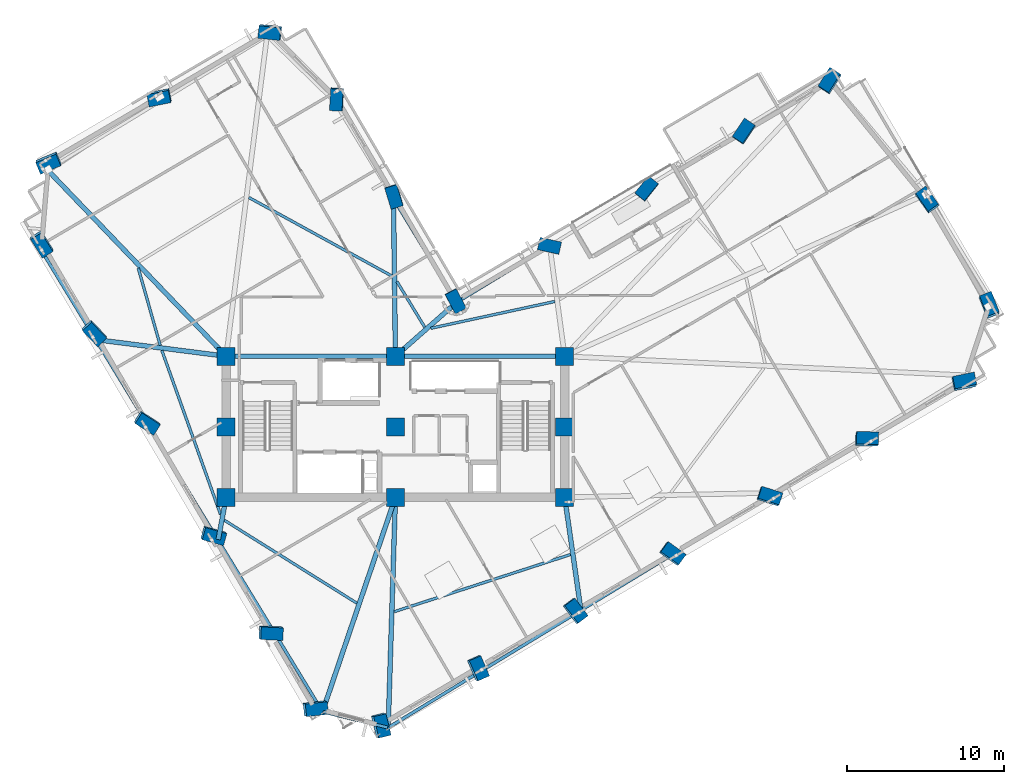
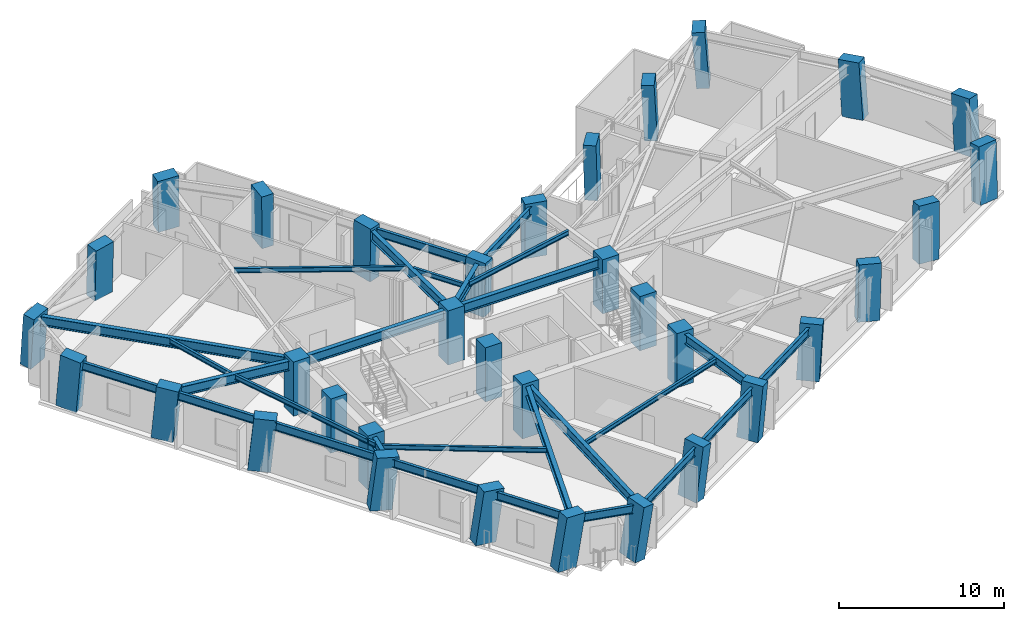
# One storey, part 1 of 12: 34 columns, 28 beams.
"""IFC4 building model written with IfcOpenShell, lengths in metres."""

import ifcopenshell
import ifcopenshell.guid

model = None  # the IFC model being written
_history = None  # IfcOwnerHistory: only IFC2X3 demands one
_inside = {}  # id of a spatial element -> (the spatial element, [elements in it])
_under = {}  # id of a project, library or spatial element -> (it, [spatial elements below it])
_declared = {}  # id of a project -> (the project, [libraries it declares])
_typed = {}  # id of a type object -> (the type object, [elements of that type])
_made_of = {}  # id of a material, layer set ... -> (it, [elements and type objects made of it])


def new_model(schema):
    """Start an empty IFC model of exactly this schema.

    Asked for "IFC4X3", IfcOpenShell would pick the latest addendum, in which some entities
    have other attributes; the version numbers below select the first issue.
    IFC2X3 requires an IfcOwnerHistory on every rooted entity: one is made here for all.
    """
    global model, _history
    if schema == "IFC4X3":
        model = ifcopenshell.file(schema_version=(4, 3, 0, 0))
    else:
        model = ifcopenshell.file(schema=schema)
    _inside.clear()
    _under.clear()
    _declared.clear()
    _typed.clear()
    _made_of.clear()
    _history = None
    if model.schema == "IFC2X3":
        org = make("IfcOrganization", Name="unknown")
        user = make(
            "IfcPersonAndOrganization",
            ThePerson=make("IfcPerson", FamilyName="unknown"),
            TheOrganization=org,
        )
        app = make(
            "IfcApplication",
            ApplicationDeveloper=org,
            Version="unknown",
            ApplicationFullName="unknown",
            ApplicationIdentifier="unknown",
        )
        _history = make(
            "IfcOwnerHistory",
            OwningUser=user,
            OwningApplication=app,
            ChangeAction="ADDED",
            CreationDate=0,
        )
    return model


def make(cls, **values):
    """One entity of the class cls with the attributes given. An attribute that is None is left unset."""
    return model.create_entity(
        cls, **{name: value for name, value in values.items() if value is not None}
    )


def rooted(cls, **values):
    """An entity with a GlobalId (a new one), such as an element, a storey or a relation."""
    return make(cls, GlobalId=ifcopenshell.guid.new(), OwnerHistory=_history, **values)


def si_unit(unit_type, name, prefix=None):
    """IfcSIUnit, for example si_unit("LENGTHUNIT", "METRE", prefix="MILLI")."""
    return make("IfcSIUnit", UnitType=unit_type, Prefix=prefix, Name=name)


def assignment(units):
    """IfcUnitAssignment: the units of a project."""
    return None if units is None else make("IfcUnitAssignment", Units=units)


def point(xyz):
    """IfcCartesianPoint."""
    return None if xyz is None else make("IfcCartesianPoint", Coordinates=xyz)


def direction(xyz):
    """IfcDirection."""
    return None if xyz is None else make("IfcDirection", DirectionRatios=xyz)


def frame(location, z_axis=None, x_axis=None):
    """IfcAxis2Placement3D, a coordinate frame: its origin and axes. An axis left out is left unset."""
    return make(
        "IfcAxis2Placement3D",
        Location=point(location),
        Axis=direction(z_axis),
        RefDirection=direction(x_axis),
    )


def frame_2d(location, x_axis=None):
    """IfcAxis2Placement2D, a coordinate frame in the plane: its origin and x axis."""
    return make(
        "IfcAxis2Placement2D", Location=point(location), RefDirection=direction(x_axis)
    )


def origin():
    """The frame at (0, 0, 0) with its axes left unset."""
    return frame((0.0, 0.0, 0.0))


def origin_2d():
    """The frame at (0, 0) in the plane with its x axis left unset."""
    return frame_2d((0.0, 0.0))


def place(relative_to, where):
    """IfcLocalPlacement: puts the frame where relative to a parent placement (None: the world)."""
    return make(
        "IfcLocalPlacement", PlacementRelTo=relative_to, RelativePlacement=where
    )


def context(
    kind, dimensions, precision=None, world=None, true_north=None, identifier=None
):
    """IfcGeometricRepresentationContext, for example the 3D "Model" context."""
    return make(
        "IfcGeometricRepresentationContext",
        ContextIdentifier=identifier,
        ContextType=kind,
        CoordinateSpaceDimension=dimensions,
        Precision=precision,
        WorldCoordinateSystem=world,
        TrueNorth=true_north,
    )


def subcontext(parent, identifier, kind, view, scale=None):
    """IfcGeometricRepresentationSubContext, for example "Body" below "Model"."""
    return make(
        "IfcGeometricRepresentationSubContext",
        ContextIdentifier=identifier,
        ContextType=kind,
        ParentContext=parent,
        TargetScale=scale,
        TargetView=view,
    )


def project(units=None, contexts=None):
    """IfcProject with its units and contexts."""
    return rooted(
        "IfcProject",
        Name="project",
        RepresentationContexts=contexts,
        UnitsInContext=assignment(units),
    )


def spatial(cls, under=None, at=None, **own):
    """A site, building, storey or space (cls), placed at a placement, below another one or the project."""
    s = rooted(cls, ObjectPlacement=at, **own)
    if under is not None:
        _under.setdefault(under.id(), (under, []))[1].append(s)
    return s


def profile(cls, at=None, kind="AREA", **sizes):
    """A parametric profile (cls). Its sizes go by their IFC names, for example OverallWidth=200.0."""
    return make(cls, ProfileType=kind, Position=at, **sizes)


def rectangle(**sizes):
    """IfcRectangleProfileDef."""
    return profile("IfcRectangleProfileDef", **sizes)


def i_section(**sizes):
    """IfcIShapeProfileDef."""
    return profile("IfcIShapeProfileDef", **sizes)


def extrude(swept, where, along, depth):
    """IfcExtrudedAreaSolid: the profile swept, set in the frame where, extruded along a direction by depth."""
    return make(
        "IfcExtrudedAreaSolid",
        SweptArea=swept,
        Position=where,
        ExtrudedDirection=direction(along),
        Depth=depth,
    )


def shape(context_of_items, identifier, shape_type, items):
    """IfcShapeRepresentation: the items that make up one representation, for example the "Body"."""
    return make(
        "IfcShapeRepresentation",
        ContextOfItems=context_of_items,
        RepresentationIdentifier=identifier,
        RepresentationType=shape_type,
        Items=items,
    )


def material(Name=None, Category=None):
    """IfcMaterial."""
    return make("IfcMaterial", Name=Name, Category=Category)


def material_profile(
    of_material, cross_section, Name=None, Category=None, Priority=None
):
    """IfcMaterialProfile: a cross section and its material."""
    return make(
        "IfcMaterialProfile",
        Name=Name,
        Material=of_material,
        Profile=cross_section,
        Priority=Priority,
        Category=Category,
    )


def profile_set(profiles, Name=None, composite=None):
    """IfcMaterialProfileSet."""
    return make(
        "IfcMaterialProfileSet",
        Name=Name,
        MaterialProfiles=profiles,
        CompositeProfile=composite,
    )


def made_of(thing, what):
    """Note that an element or type object is made of a material, layer set ...; save() writes the relation."""
    if what is not None:
        _made_of.setdefault(what.id(), (what, []))[1].append(thing)
    return thing


def type_object(cls, material=None, **own):
    """A type object (cls), such as IfcWallType, which elements share."""
    return made_of(rooted(cls, **own), material)


def element(
    cls,
    number,
    at=None,
    inside=None,
    cuts=None,
    type_object=None,
    material=None,
    context=None,
    identifier="Body",
    shape_type=None,
    held_by="IfcProductDefinitionShape",
    body=None,
    shapes=None,
    **own,
):
    """One element of the class cls, such as IfcWall. Its Tag is "e" and its number.

    at: its placement. inside: the storey or other place that contains it. cuts: it is an
    opening in that element (IfcRelVoidsElement). A single representation is given by context,
    identifier, shape_type and body (its items); several are given by shapes. held_by: the class
    of the entity that holds the representations. save() writes the other relations.
    """
    e = rooted(cls, Tag="e%d" % number, ObjectPlacement=at, **own)
    if body is not None:
        shapes = [shape(context, identifier, shape_type, body)]
    if shapes is not None:
        e.Representation = make(held_by, Representations=shapes)
    if inside is not None:
        _inside.setdefault(inside.id(), (inside, []))[1].append(e)
    if cuts is not None:
        rooted(
            "IfcRelVoidsElement", RelatingBuildingElement=cuts, RelatedOpeningElement=e
        )
    if type_object is not None:
        _typed.setdefault(type_object.id(), (type_object, []))[1].append(e)
    return made_of(e, material)


def aggregate(whole, parts):
    """IfcRelAggregates: a whole, such as a stair, and the parts it consists of."""
    return rooted("IfcRelAggregates", RelatingObject=whole, RelatedObjects=parts)


def save(model, path):
    """Write the relations noted so far, then the file.

    IfcRelAggregates (storeys below a building ...), IfcRelContainedInSpatialStructure (elements
    in a storey), IfcRelDefinesByType, IfcRelAssociatesMaterial and IfcRelDeclares: one each for
    every whole, place, type object, material and project.
    """
    for whole, parts in _under.values():
        aggregate(whole, parts)
    for where, things in _inside.values():
        rooted(
            "IfcRelContainedInSpatialStructure",
            RelatedElements=things,
            RelatingStructure=where,
        )
    for kind, things in _typed.values():
        rooted("IfcRelDefinesByType", RelatedObjects=things, RelatingType=kind)
    for what, things in _made_of.values():
        rooted("IfcRelAssociatesMaterial", RelatedObjects=things, RelatingMaterial=what)
    for by, libraries in _declared.values():
        rooted("IfcRelDeclares", RelatingContext=by, RelatedDefinitions=libraries)
    model.write(path)


model = new_model("IFC4")

# Units and contexts
model_context = context("Model", 3, precision=1e-05, world=origin(), true_north=direction((0.0, 1.0)))
body_context = subcontext(model_context, "Body", "Model", "MODEL_VIEW")
ifc_project = project(units=[si_unit("LENGTHUNIT", "METRE"), si_unit("AREAUNIT", "SQUARE_METRE"), si_unit("VOLUMEUNIT", "CUBIC_METRE"), si_unit("PLANEANGLEUNIT", "RADIAN"), si_unit("MASSUNIT", "GRAM", prefix="KILO")], contexts=[model_context])

# Site, building, storey
site_placement = place(None, origin())
site = spatial("IfcSite", under=ifc_project, at=site_placement, CompositionType="ELEMENT")
building_placement = place(site_placement, origin())
building = spatial("IfcBuilding", under=site, at=building_placement, Name="Gaonmaruhae Medical Tower", CompositionType="ELEMENT")
storey_placement = place(building_placement, frame((0.0, 0.0, 153.800048828125)))
storey = spatial("IfcBuildingStorey", under=building, at=storey_placement, Name="L36", CompositionType="ELEMENT", Elevation=153.800048828125)

# Columns
ifc_material_1 = material(Name="Concrete C50/60", Category="concrete")
ifc_material_profile_1 = material_profile(ifc_material_1, rectangle(XDim=1.14990234375, YDim=1.14990234375, at=origin_2d()), Name="RC-1150x1150")
ifc_profile_set_1 = profile_set([ifc_material_profile_1], Name="Concrete C50/60")
column_type_1 = type_object("IfcColumnType", Name="CC-04 Zone 3 Core Column (RC-1150x1150)", PredefinedType="COLUMN", material=ifc_profile_set_1)
for number, where, z_axis, x_axis, name in (
    (1, (14.0, 7.800048828125, 0.0), (0.0, 0.0, 1.0), (1.0, 0.0, 0.0), "L36 Plumb Core Column CC11"),
    (2, (14.0, 12.300048828125, 0.0), (0.0, 0.0, 1.0), (1.0, 0.0, 0.0), "L36 Plumb Core Column CC12"),
    (3, (14.0, 16.800048828125, 0.0), (0.0, 0.0, 1.0), (1.0, 0.0, 0.0), "L36 Plumb Core Column CC13"),
    (4, (24.800048828125, 7.800048828125, 0.0), (0.0, 0.0, 1.0), (1.0, 0.0, 0.0), "L36 Plumb Core Column CC21"),
    (5, (24.800048828125, 12.300048828125, 0.0), (0.0, 0.0, 1.0), (1.0, 0.0, 0.0), "L36 Plumb Core Column CC22"),
    (6, (24.800048828125, 16.800048828125, 0.0), (0.0, 0.0, 1.0), (1.0, 0.0, 0.0), "L36 Plumb Core Column CC23"),
    (7, (35.60009765625, 7.800048828125, 0.0), (0.0, 0.0, 1.0), (1.0, 0.0, 0.0), "L36 Plumb Core Column CC31"),
    (8, (35.60009765625, 12.300048828125, 0.0), (0.0, 0.0, 1.0), (1.0, 0.0, 0.0), "L36 Plumb Core Column CC32"),
    (9, (35.60009765625, 16.800048828125, 0.0), (0.0, 0.0, 1.0), (1.0, 0.0, 0.0), "L36 Plumb Core Column CC33"),
):
    element("IfcColumn", number, at=place(storey_placement, frame(where, z_axis=z_axis, x_axis=x_axis)), inside=storey, type_object=column_type_1, Name=name, PredefinedType="COLUMN", context=body_context, shape_type="SweptSolid", body=[
        extrude(rectangle(XDim=1.14990234375, YDim=1.14990234375, at=origin_2d()), origin(), (0.0, 0.0, 1.0), 4.0),
    ])
ifc_material_2 = material(Name="Concrete C60/75", Category="concrete")
ifc_material_profile_2 = material_profile(ifc_material_2, rectangle(XDim=1.39990234375, YDim=0.800048828125, at=origin_2d()), Name="RC-1400x800")
ifc_profile_set_2 = profile_set([ifc_material_profile_2], Name="Concrete C60/75")
column_type_2 = type_object("IfcColumnType", Name="TC-02 Mid Raking Tube Pier Column (RC-1400x800)", PredefinedType="COLUMN", material=ifc_profile_set_2)
column_1_placement = place(storey_placement, frame((23.814208984375, -6.73828125, 0.001708984375), z_axis=(0.129830222499, -0.039100384025, 0.990764993979), x_axis=(-0.231337617932, 0.970450991255, 0.068613264758)))
element("IfcColumn", 10, at=column_1_placement, inside=storey, type_object=column_type_2, Name="L36 Perimeter Tube Column S01", PredefinedType="COLUMN", context=body_context, shape_type="SweptSolid", body=[
    extrude(rectangle(XDim=1.39990234375, YDim=0.800048828125, at=origin_2d()), origin(), (0.0, 0.0, 1.0), 4.03369140625),
])
column_2_placement = place(storey_placement, frame((30.024169921875, -3.0947265625, 0.001708984375), z_axis=(0.114988644176, -0.013774365292, 0.993271301595), x_axis=(-0.396474783473, 0.916173183328, 0.058604131425)))
element("IfcColumn", 11, at=column_2_placement, inside=storey, type_object=column_type_2, Name="L36 Perimeter Tube Column S02", PredefinedType="COLUMN", context=body_context, shape_type="SweptSolid", body=[
    extrude(rectangle(XDim=1.39990234375, YDim=0.800048828125, at=origin_2d()), origin(), (0.0, 0.0, 1.0), 4.0234375),
])
column_3_placement = place(storey_placement, frame((36.234375, 0.548828125, 0.001708984375), z_axis=(0.099924207405, 0.011669980427, 0.994926612536), x_axis=(-0.600119176954, 0.79828896906, 0.050908696002)))
element("IfcColumn", 12, at=column_3_placement, inside=storey, type_object=column_type_2, Name="L36 Perimeter Tube Column S03", PredefinedType="COLUMN", context=body_context, shape_type="SweptSolid", body=[
    extrude(rectangle(XDim=1.39990234375, YDim=0.800048828125, at=origin_2d()), origin(), (0.0, 0.0, 1.0), 4.0166015625),
])
column_4_placement = place(storey_placement, frame((42.4443359375, 4.192138671875, 0.001708984375), z_axis=(0.084734624641, 0.037227272276, 0.995707875627), x_axis=(-0.808235091412, 0.586994535222, 0.04683431039)))
element("IfcColumn", 13, at=column_4_placement, inside=storey, type_object=column_type_2, Name="L36 Perimeter Tube Column S04", PredefinedType="COLUMN", context=body_context, shape_type="SweptSolid", body=[
    extrude(rectangle(XDim=1.39990234375, YDim=0.800048828125, at=origin_2d()), origin(), (0.0, 0.0, 1.0), 4.013671875),
])
column_5_placement = place(storey_placement, frame((48.654541015625, 7.835693359375, 0.001708984375), z_axis=(0.069459877743, 0.062708523602, 0.995611855319), x_axis=(-0.951941580649, 0.302596781144, 0.047354145259)))
element("IfcColumn", 14, at=column_5_placement, inside=storey, type_object=column_type_2, Name="L36 Perimeter Tube Column S05", PredefinedType="COLUMN", context=body_context, shape_type="SweptSolid", body=[
    extrude(rectangle(XDim=1.39990234375, YDim=0.800048828125, at=origin_2d()), origin(), (0.0, 0.0, 1.0), 4.013916015625),
])
column_6_placement = place(storey_placement, frame((54.864501953125, 11.479248046875, 0.001708984375), z_axis=(0.054200911199, 0.088106862375, 0.994635331178), x_axis=(-0.998358751435, 0.023231653621, 0.052345904364)))
element("IfcColumn", 15, at=column_6_placement, inside=storey, type_object=column_type_2, Name="L36 Perimeter Tube Column S06", PredefinedType="COLUMN", context=body_context, shape_type="SweptSolid", body=[
    extrude(rectangle(XDim=1.39990234375, YDim=0.800048828125, at=origin_2d()), origin(), (0.0, 0.0, 1.0), 4.017822265625),
])
column_7_placement = place(storey_placement, frame((61.074462890625, 15.122802734375, 0.001708984375), z_axis=(0.038937742609, 0.113356138531, 0.992791135163), x_axis=(-0.978939387648, -0.19493340453, 0.060651818678)))
element("IfcColumn", 16, at=column_7_placement, inside=storey, type_object=column_type_2, Name="L36 Perimeter Tube Column S07", PredefinedType="COLUMN", context=body_context, shape_type="SweptSolid", body=[
    extrude(rectangle(XDim=1.39990234375, YDim=0.800048828125, at=origin_2d()), origin(), (0.0, 0.0, 1.0), 4.025390625),
])
column_8_placement = place(storey_placement, frame((62.6748046875, 20.00341796875, 0.001708984375), z_axis=(0.018737798515, 0.119824886295, 0.992618200282), x_axis=(0.367684063858, -0.924048637588, 0.104606618128)))
element("IfcColumn", 17, at=column_8_placement, inside=storey, type_object=column_type_2, Name="L36 Perimeter Tube Column E01", PredefinedType="COLUMN", context=body_context, shape_type="SweptSolid", body=[
    extrude(rectangle(XDim=1.39990234375, YDim=0.800048828125, at=origin_2d()), origin(), (0.0, 0.0, 1.0), 4.026123046875),
])
column_9_placement = place(storey_placement, frame((58.7275390625, 26.73095703125, 0.001708984375), z_axis=(-0.008810255612, 0.103535693532, 0.994586717969), x_axis=(0.576946050037, -0.811850264044, 0.089623680566)))
element("IfcColumn", 18, at=column_9_placement, inside=storey, type_object=column_type_2, Name="L36 Perimeter Tube Column E02", PredefinedType="COLUMN", context=body_context, shape_type="SweptSolid", body=[
    extrude(rectangle(XDim=1.39990234375, YDim=0.800048828125, at=origin_2d()), origin(), (0.0, 0.0, 1.0), 4.01806640625),
])
column_10_placement = place(storey_placement, frame((52.525146484375, 34.33837890625, 0.001708984375), z_axis=(-0.039982884039, 0.077835781867, 0.996164123047), x_axis=(-0.536879122106, -0.842496331577, 0.044280238552)))
element("IfcColumn", 19, at=column_10_placement, inside=storey, type_object=column_type_2, Name="L36 Perimeter Tube Column E03", PredefinedType="COLUMN", context=body_context, shape_type="SweptSolid", body=[
    extrude(rectangle(XDim=1.39990234375, YDim=0.800048828125, at=origin_2d()), origin(), (0.0, 0.0, 1.0), 4.01171875),
])
column_11_placement = place(storey_placement, frame((47.04833984375, 31.125, 0.001708984375), z_axis=(-0.026646271569, 0.055426683881, 0.998107137999), x_axis=(-0.558510197986, -0.828913665731, 0.03112062836)))
element("IfcColumn", 20, at=column_11_placement, inside=storey, type_object=column_type_2, Name="L36 Perimeter Tube Column EN01", PredefinedType="COLUMN", context=body_context, shape_type="SweptSolid", body=[
    extrude(rectangle(XDim=1.39990234375, YDim=0.800048828125, at=origin_2d()), origin(), (0.0, 0.0, 1.0), 4.00390625),
])
column_12_placement = place(storey_placement, frame((40.838134765625, 27.4814453125, 0.001708984375), z_axis=(-0.011357121985, 0.029919299853, 0.999487794461), x_axis=(-0.626881403179, -0.778946373257, 0.016194256332)))
element("IfcColumn", 21, at=column_12_placement, inside=storey, type_object=column_type_2, Name="L36 Perimeter Tube Column EN02", PredefinedType="COLUMN", context=body_context, shape_type="SweptSolid", body=[
    extrude(rectangle(XDim=1.39990234375, YDim=0.800048828125, at=origin_2d()), origin(), (0.0, 0.0, 1.0), 3.998291015625),
])
column_13_placement = place(storey_placement, frame((34.628173828125, 23.838134765625, 0.001708984375), z_axis=(0.003970853028, 0.004276303261, 0.999982972633), x_axis=(-0.976369771293, 0.216086439599, 0.002953019999)))
element("IfcColumn", 22, at=column_13_placement, inside=storey, type_object=column_type_2, Name="L36 Perimeter Tube Column EN03", PredefinedType="COLUMN", context=body_context, shape_type="SweptSolid", body=[
    extrude(rectangle(XDim=1.39990234375, YDim=0.800048828125, at=origin_2d()), origin(), (0.0, 0.0, 1.0), 3.996337890625),
])
column_14_placement = place(storey_placement, frame((28.6337890625, 20.321044921875, 0.001708984375), z_axis=(0.018686718776, -0.020396614612, 0.999617319105), x_axis=(-0.467601093999, 0.883534166025, 0.026769280116)))
element("IfcColumn", 23, at=column_14_placement, inside=storey, type_object=column_type_2, Name="L36 Perimeter Tube Column KN01", PredefinedType="COLUMN", context=body_context, shape_type="SweptSolid", body=[
    extrude(rectangle(XDim=1.39990234375, YDim=0.800048828125, at=origin_2d()), origin(), (0.0, 0.0, 1.0), 3.997802734375),
])
column_15_placement = place(storey_placement, frame((24.7119140625, 27.005615234375, 0.001708984375), z_axis=(-0.008851816593, -0.036933441647, 0.999278522851), x_axis=(-0.291217556867, 0.956095845125, 0.032757739664)))
element("IfcColumn", 24, at=column_15_placement, inside=storey, type_object=column_type_2, Name="L36 Perimeter Tube Column NE01", PredefinedType="COLUMN", context=body_context, shape_type="SweptSolid", body=[
    extrude(rectangle(XDim=1.39990234375, YDim=0.800048828125, at=origin_2d()), origin(), (0.0, 0.0, 1.0), 3.999267578125),
])
column_16_placement = place(storey_placement, frame((21.068359375, 33.215576171875, 0.001708984375), z_axis=(-0.034388116319, -0.052130921015, 0.998048007127), x_axis=(0.051597216998, 0.997214254975, 0.053865173095)))
element("IfcColumn", 25, at=column_16_placement, inside=storey, type_object=column_type_2, Name="L36 Perimeter Tube Column NE02", PredefinedType="COLUMN", context=body_context, shape_type="SweptSolid", body=[
    extrude(rectangle(XDim=1.39990234375, YDim=0.800048828125, at=origin_2d()), origin(), (0.0, 0.0, 1.0), 4.004150390625),
])
column_17_placement = place(storey_placement, frame((16.814208984375, 37.502197265625, 0.001708984375), z_axis=(-0.051852664615, -0.069745485504, 0.996216275928), x_axis=(0.992953500055, -0.110041878565, 0.043978764079)))
element("IfcColumn", 26, at=column_17_placement, inside=storey, type_object=column_type_2, Name="L36 Perimeter Tube Column N01", PredefinedType="COLUMN", context=body_context, shape_type="SweptSolid", body=[
    extrude(rectangle(XDim=1.39990234375, YDim=0.800048828125, at=origin_2d()), origin(), (0.0, 0.0, 1.0), 4.011474609375),
])
column_18_placement = place(storey_placement, frame((9.74169921875, 33.352783203125, 0.001708984375), z_axis=(-0.034448961233, -0.098668629705, 0.994523891408), x_axis=(0.980197464703, 0.190829958446, 0.052885320728)))
element("IfcColumn", 27, at=column_18_placement, inside=storey, type_object=column_type_2, Name="L36 Perimeter Tube Column N02", PredefinedType="COLUMN", context=body_context, shape_type="SweptSolid", body=[
    extrude(rectangle(XDim=1.39990234375, YDim=0.800048828125, at=origin_2d()), origin(), (0.0, 0.0, 1.0), 4.018310546875),
])
column_19_placement = place(storey_placement, frame((2.669189453125, 29.203125, 0.001708984375), z_axis=(-0.017085014726, -0.127289418228, 0.991718461197), x_axis=(0.921607394324, 0.382643519361, 0.064990367119)))
element("IfcColumn", 28, at=column_19_placement, inside=storey, type_object=column_type_2, Name="L36 Perimeter Tube Column N03", PredefinedType="COLUMN", context=body_context, shape_type="SweptSolid", body=[
    extrude(rectangle(XDim=1.39990234375, YDim=0.800048828125, at=origin_2d()), origin(), (0.0, 0.0, 1.0), 4.02978515625),
])
column_20_placement = place(storey_placement, frame((2.232177734375, 24.019287109375, 0.001708984375), z_axis=(0.004301232882, -0.128915824962, 0.991646211847), x_axis=(-0.534273545807, 0.837958489173, 0.111253533308)))
element("IfcColumn", 29, at=column_20_placement, inside=storey, type_object=column_type_2, Name="L36 Perimeter Tube Column W01", PredefinedType="COLUMN", context=body_context, shape_type="SweptSolid", body=[
    extrude(rectangle(XDim=1.39990234375, YDim=0.800048828125, at=origin_2d()), origin(), (0.0, 0.0, 1.0), 4.030029296875),
])
column_21_placement = place(storey_placement, frame((5.572265625, 18.32666015625, 0.001708984375), z_axis=(0.027600932287, -0.115135317539, 0.992966287037), x_axis=(-0.69174719103, 0.714882822887, 0.102119406791)))
element("IfcColumn", 30, at=column_21_placement, inside=storey, type_object=column_type_2, Name="L36 Perimeter Tube Column W02", PredefinedType="COLUMN", context=body_context, shape_type="SweptSolid", body=[
    extrude(rectangle(XDim=1.39990234375, YDim=0.800048828125, at=origin_2d()), origin(), (0.0, 0.0, 1.0), 4.024658203125),
])
column_22_placement = place(storey_placement, frame((8.937255859375, 12.591064453125, 0.001708984375), z_axis=(0.051167990151, -0.101122030358, 0.993557331894), x_axis=(-0.838431150667, 0.536170027731, 0.097749204363)))
element("IfcColumn", 31, at=column_22_placement, inside=storey, type_object=column_type_2, Name="L36 Perimeter Tube Column W03", PredefinedType="COLUMN", context=body_context, shape_type="SweptSolid", body=[
    extrude(rectangle(XDim=1.39990234375, YDim=0.800048828125, at=origin_2d()), origin(), (0.0, 0.0, 1.0), 4.022216796875),
])
column_23_placement = place(storey_placement, frame((13.162841796875, 5.38916015625, 0.001708984375), z_axis=(0.080580933826, -0.083493497699, 0.993244959185), x_axis=(-0.959036781093, 0.265012916161, 0.100082999446)))
element("IfcColumn", 32, at=column_23_placement, inside=storey, type_object=column_type_2, Name="L36 Perimeter Tube Column W04", PredefinedType="COLUMN", context=body_context, shape_type="SweptSolid", body=[
    extrude(rectangle(XDim=1.39990234375, YDim=0.800048828125, at=origin_2d()), origin(), (0.0, 0.0, 1.0), 4.0234375),
])
column_24_placement = place(storey_placement, frame((16.80615234375, -0.821044921875, 0.001708984375), z_axis=(0.105936419201, -0.068179903662, 0.99203274937), x_axis=(-0.993369669455, 0.037546923922, 0.108659690367)))
element("IfcColumn", 33, at=column_24_placement, inside=storey, type_object=column_type_2, Name="L36 Perimeter Tube Column W05", PredefinedType="COLUMN", context=body_context, shape_type="SweptSolid", body=[
    extrude(rectangle(XDim=1.39990234375, YDim=0.800048828125, at=origin_2d()), origin(), (0.0, 0.0, 1.0), 4.0283203125),
])
column_25_placement = place(storey_placement, frame((19.64013671875, -5.65087890625, 0.001708984375), z_axis=(0.125498358201, -0.056335087505, 0.990493069135), x_axis=(-0.986622798477, -0.1117931674, 0.118649657596)))
element("IfcColumn", 34, at=column_25_placement, inside=storey, type_object=column_type_2, Name="L36 Perimeter Tube Column W06", PredefinedType="COLUMN", context=body_context, shape_type="SweptSolid", body=[
    extrude(rectangle(XDim=1.39990234375, YDim=0.800048828125, at=origin_2d()), origin(), (0.0, 0.0, 1.0), 4.03466796875),
])

# Beams
ifc_material_3 = material(Name="Steel SM355", Category="steel")
ifc_material_profile_3 = material_profile(ifc_material_3, i_section(OverallWidth=0.175048828125, OverallDepth=0.35009765625, WebThickness=0.007080078125, FlangeThickness=0.010986328125, FilletRadius=0.012939453125, at=origin_2d()), Name="H-350x175x7x11")
ifc_profile_set_3 = profile_set([ifc_material_profile_3], Name="Steel SM355")
beam_type_1 = type_object("IfcBeamType", Name="FJ-02 Upper Zone Ward Floor Joist (H-350x175x7x11)", PredefinedType="JOIST", material=ifc_profile_set_3)
beam_1_placement = place(storey_placement, frame((24.726318359375, 0.5029296875, 3.60498046875), z_axis=(0.951211840395, 0.308538546527, 0.0), x_axis=(-0.308538546527, 0.951211840395, 0.0)))
element("IfcBeam", 35, at=beam_1_placement, inside=storey, type_object=beam_type_1, Name="L36 Secondary Floor Joist FJ01", PredefinedType="JOIST", context=body_context, shape_type="SweptSolid", body=[
    extrude(i_section(OverallWidth=0.175048828125, OverallDepth=0.35009765625, WebThickness=0.007080078125, FlangeThickness=0.010986328125, FilletRadius=0.012939453125, at=origin_2d()), origin(), (0.0, 0.0, 1.0), 11.81787109375),
])
beam_2_placement = place(storey_placement, frame((34.968994140625, 20.29443359375, 3.60498046875), z_axis=(-0.977448182972, -0.211175400094, 0.0), x_axis=(0.211175400094, -0.977448182972, 0.0)))
element("IfcBeam", 36, at=beam_2_placement, inside=storey, type_object=beam_type_1, Name="L36 Secondary Floor Joist FJ07", PredefinedType="JOIST", context=body_context, shape_type="SweptSolid", body=[
    extrude(i_section(OverallWidth=0.175048828125, OverallDepth=0.35009765625, WebThickness=0.007080078125, FlangeThickness=0.010986328125, FilletRadius=0.012939453125, at=origin_2d()), origin(), (0.0, 0.0, 1.0), 8.09033203125),
])
beam_3_placement = place(storey_placement, frame((26.671875, 18.65478515625, 3.60498046875), z_axis=(-0.520232562759, 0.854024637024, 0.0), x_axis=(-0.854024637024, -0.520232562759, 0.0)))
element("IfcBeam", 37, at=beam_3_placement, inside=storey, type_object=beam_type_1, Name="L36 Secondary Floor Joist FJ08", PredefinedType="JOIST", context=body_context, shape_type="SweptSolid", body=[
    extrude(i_section(OverallWidth=0.175048828125, OverallDepth=0.35009765625, WebThickness=0.007080078125, FlangeThickness=0.010986328125, FilletRadius=0.012939453125, at=origin_2d()), origin(), (0.0, 0.0, 1.0), 3.41650390625),
])
beam_4_placement = place(storey_placement, frame((24.58203125, 21.914794921875, 3.60498046875), z_axis=(-0.8764957749, 0.481409551819, 0.0), x_axis=(-0.481409551819, -0.8764957749, 0.0)))
element("IfcBeam", 38, at=beam_4_placement, inside=storey, type_object=beam_type_1, Name="L36 Secondary Floor Joist FJ09", PredefinedType="JOIST", context=body_context, shape_type="SweptSolid", body=[
    extrude(i_section(OverallWidth=0.175048828125, OverallDepth=0.35009765625, WebThickness=0.007080078125, FlangeThickness=0.010986328125, FilletRadius=0.012939453125, at=origin_2d()), origin(), (0.0, 0.0, 1.0), 10.419189453125),
])
beam_5_placement = place(storey_placement, frame((8.3896484375, 22.430908203125, 3.60498046875), z_axis=(0.273879212035, -0.961764096447, 0.0), x_axis=(0.961764096447, 0.273879212035, 0.0)))
element("IfcBeam", 39, at=beam_5_placement, inside=storey, type_object=beam_type_1, Name="L36 Secondary Floor Joist FJ11", PredefinedType="JOIST", context=body_context, shape_type="SweptSolid", body=[
    extrude(i_section(OverallWidth=0.175048828125, OverallDepth=0.35009765625, WebThickness=0.007080078125, FlangeThickness=0.010986328125, FilletRadius=0.012939453125, at=origin_2d()), origin(), (0.0, 0.0, 1.0), 5.1328125),
])
beam_6_placement = place(storey_placement, frame((9.900390625, 17.16748046875, 3.60498046875), z_axis=(0.336896242341, -0.941541779156, 0.0), x_axis=(0.941541779156, 0.336896242341, 0.0)))
element("IfcBeam", 40, at=beam_6_placement, inside=storey, type_object=beam_type_1, Name="L36 Secondary Floor Joist FJ12", PredefinedType="JOIST", context=body_context, shape_type="SweptSolid", body=[
    extrude(i_section(OverallWidth=0.175048828125, OverallDepth=0.35009765625, WebThickness=0.007080078125, FlangeThickness=0.010986328125, FilletRadius=0.012939453125, at=origin_2d()), origin(), (0.0, 0.0, 1.0), 11.104248046875),
])
beam_7_placement = place(storey_placement, frame((13.88525390625, 6.337890625, 3.60498046875), z_axis=(0.847581302628, -0.530665558931, 0.0), x_axis=(0.530665558931, 0.847581302628, 0.0)))
element("IfcBeam", 41, at=beam_7_placement, inside=storey, type_object=beam_type_1, Name="L36 Secondary Floor Joist FJ13", PredefinedType="JOIST", context=body_context, shape_type="SweptSolid", body=[
    extrude(i_section(OverallWidth=0.175048828125, OverallDepth=0.35009765625, WebThickness=0.007080078125, FlangeThickness=0.010986328125, FilletRadius=0.012939453125, at=origin_2d()), origin(), (0.0, 0.0, 1.0), 9.972412109375),
])
ifc_material_4 = material(Name="Steel SM420", Category="steel")
ifc_material_profile_4 = material_profile(ifc_material_4, i_section(OverallWidth=0.300048828125, OverallDepth=0.699951171875, WebThickness=0.012939453125, FlangeThickness=0.02392578125, FilletRadius=0.01806640625, at=origin_2d()), Name="H-700x300x13x24")
ifc_profile_set_4 = profile_set([ifc_material_profile_4], Name="Steel SM420")
beam_type_2 = type_object("IfcBeamType", Name="PG-03 Zone 3 Radial Floor Girder (H-700x300x13x24)", PredefinedType="BEAM", material=ifc_profile_set_4)
for number, where, z_axis, x_axis, name in (
    (42, (14.050048828125, 16.800048828125, 3.429931640625), (1.0, 0.0, 0.0), (0.0, 1.0, 0.0), "L36 Beam BM-L36-CG-N1"),
    (43, (24.85009765625, 16.800048828125, 3.429931640625), (1.0, 0.0, 0.0), (0.0, 1.0, 0.0), "L36 Beam BM-L36-CG-N2"),
):
    element("IfcBeam", number, at=place(storey_placement, frame(where, z_axis=z_axis, x_axis=x_axis)), inside=storey, type_object=beam_type_2, Name=name, PredefinedType="BEAM", context=body_context, shape_type="SweptSolid", body=[
        extrude(i_section(OverallWidth=0.300048828125, OverallDepth=0.699951171875, WebThickness=0.012939453125, FlangeThickness=0.02392578125, FilletRadius=0.01806640625, at=origin_2d()), origin(), (0.0, 0.0, 1.0), 10.699951171875),
    ])
beam_8_placement = place(storey_placement, frame((24.79833984375, 7.75, 3.429931640625), z_axis=(-0.031396550342, -0.999507006792, 0.0), x_axis=(0.999507006792, -0.031396550342, 0.0)))
element("IfcBeam", 44, at=beam_8_placement, inside=storey, type_object=beam_type_2, Name="L36 Radial Primary Girder S01", PredefinedType="BEAM", context=body_context, shape_type="SweptSolid", body=[
    extrude(i_section(OverallWidth=0.300048828125, OverallDepth=0.699951171875, WebThickness=0.012939453125, FlangeThickness=0.02392578125, FilletRadius=0.01806640625, at=origin_2d()), origin(), (0.0, 0.0, 1.0), 14.603271484375),
])
beam_9_placement = place(storey_placement, frame((35.607177734375, 7.75048828125, 3.429931640625), z_axis=(0.142302186153, -0.989823260899, 0.0), x_axis=(0.989823260899, 0.142302186153, 0.0)))
element("IfcBeam", 45, at=beam_9_placement, inside=storey, type_object=beam_type_2, Name="L36 Radial Primary Girder S03", PredefinedType="BEAM", context=body_context, shape_type="SweptSolid", body=[
    extrude(i_section(OverallWidth=0.300048828125, OverallDepth=0.699951171875, WebThickness=0.012939453125, FlangeThickness=0.02392578125, FilletRadius=0.01806640625, at=origin_2d()), origin(), (0.0, 0.0, 1.0), 7.17822265625),
])
beam_10_placement = place(storey_placement, frame((24.837646484375, 16.8330078125, 3.429931640625), z_axis=(0.750731537458, 0.660607416448, 0.0), x_axis=(-0.660607416448, 0.750731537458, 0.0)))
element("IfcBeam", 46, at=beam_10_placement, inside=storey, type_object=beam_type_2, Name="L36 Radial Primary Girder KN01", PredefinedType="BEAM", context=body_context, shape_type="SweptSolid", body=[
    extrude(i_section(OverallWidth=0.300048828125, OverallDepth=0.699951171875, WebThickness=0.012939453125, FlangeThickness=0.02392578125, FilletRadius=0.01806640625, at=origin_2d()), origin(), (0.0, 0.0, 1.0), 5.1064453125),
])
beam_11_placement = place(storey_placement, frame((24.79931640625, 16.85009765625, 3.429931640625), z_axis=(-0.01225788694, 0.999924869282, 0.0), x_axis=(-0.999924869282, -0.01225788694, 0.0)))
element("IfcBeam", 47, at=beam_11_placement, inside=storey, type_object=beam_type_2, Name="L36 Radial Primary Girder NE01", PredefinedType="BEAM", context=body_context, shape_type="SweptSolid", body=[
    extrude(i_section(OverallWidth=0.300048828125, OverallDepth=0.699951171875, WebThickness=0.012939453125, FlangeThickness=0.02392578125, FilletRadius=0.01806640625, at=origin_2d()), origin(), (0.0, 0.0, 1.0), 9.95849609375),
])
beam_12_placement = place(storey_placement, frame((13.96533203125, 16.836181640625, 3.429931640625), z_axis=(-0.692067613806, 0.721832680003, 0.0), x_axis=(-0.721832680003, -0.692067613806, 0.0)))
element("IfcBeam", 48, at=beam_12_placement, inside=storey, type_object=beam_type_2, Name="L36 Radial Primary Girder N03", PredefinedType="BEAM", context=body_context, shape_type="SweptSolid", body=[
    extrude(i_section(OverallWidth=0.300048828125, OverallDepth=0.699951171875, WebThickness=0.012939453125, FlangeThickness=0.02392578125, FilletRadius=0.01806640625, at=origin_2d()), origin(), (0.0, 0.0, 1.0), 16.37158203125),
])
beam_13_placement = place(storey_placement, frame((13.950439453125, 16.806396484375, 3.429931640625), z_axis=(-0.991927159276, 0.126808953515, 0.0), x_axis=(-0.126808953515, -0.991927159276, 0.0)))
element("IfcBeam", 49, at=beam_13_placement, inside=storey, type_object=beam_type_2, Name="L36 Radial Primary Girder W02", PredefinedType="BEAM", context=body_context, shape_type="SweptSolid", body=[
    extrude(i_section(OverallWidth=0.300048828125, OverallDepth=0.699951171875, WebThickness=0.012939453125, FlangeThickness=0.02392578125, FilletRadius=0.01806640625, at=origin_2d()), origin(), (0.0, 0.0, 1.0), 8.284423828125),
])
beam_14_placement = place(storey_placement, frame((13.99072265625, 7.750732421875, 3.429931640625), z_axis=(-0.183500615757, -0.98301959493, 0.0), x_axis=(0.98301959493, -0.183500615757, 0.0)))
element("IfcBeam", 50, at=beam_14_placement, inside=storey, type_object=beam_type_2, Name="L36 Radial Primary Girder W04", PredefinedType="BEAM", context=body_context, shape_type="SweptSolid", body=[
    extrude(i_section(OverallWidth=0.300048828125, OverallDepth=0.699951171875, WebThickness=0.012939453125, FlangeThickness=0.02392578125, FilletRadius=0.01806640625, at=origin_2d()), origin(), (0.0, 0.0, 1.0), 2.694091796875),
])
beam_15_placement = place(storey_placement, frame((24.783935546875, 7.752685546875, 3.429931640625), z_axis=(-0.322071725162, -0.946715270739, 0.0), x_axis=(0.946715270739, -0.322071725162, 0.0)))
element("IfcBeam", 51, at=beam_15_placement, inside=storey, type_object=beam_type_2, Name="L36 Radial Primary Girder W06", PredefinedType="BEAM", context=body_context, shape_type="SweptSolid", body=[
    extrude(i_section(OverallWidth=0.300048828125, OverallDepth=0.699951171875, WebThickness=0.012939453125, FlangeThickness=0.02392578125, FilletRadius=0.01806640625, at=origin_2d()), origin(), (0.0, 0.0, 1.0), 14.34814453125),
])
ifc_material_profile_5 = material_profile(ifc_material_3, i_section(OverallWidth=0.199951171875, OverallDepth=0.60009765625, WebThickness=0.010986328125, FlangeThickness=0.01708984375, FilletRadius=0.012939453125, at=origin_2d()), Name="H-600x200x11x17")
ifc_profile_set_5 = profile_set([ifc_material_profile_5], Name="Steel SM355")
beam_type_3 = type_object("IfcBeamType", Name="SP-01 Lower Perimeter Spandrel Beam (H-600x200x11x17)", PredefinedType="SPANDREL", material=ifc_profile_set_5)
beam_16_placement = place(storey_placement, frame((24.372314453125, -6.875244140625, 3.47998046875), z_axis=(0.854003165972, 0.520267808451, 0.0), x_axis=(-0.520267808451, 0.854003165972, 0.0)))
element("IfcBeam", 52, at=beam_16_placement, inside=storey, type_object=beam_type_3, Name="L36 Perimeter Spandrel Beam S01-S02", PredefinedType="SPANDREL", context=body_context, shape_type="SweptSolid", body=[
    extrude(i_section(OverallWidth=0.199951171875, OverallDepth=0.60009765625, WebThickness=0.010986328125, FlangeThickness=0.01708984375, FilletRadius=0.012939453125, at=origin_2d()), origin(), (0.0, 0.0, 1.0), 7.1201171875),
])
beam_17_placement = place(storey_placement, frame((30.521240234375, -3.12939453125, 3.47998046875), z_axis=(0.853993884251, 0.520283043796, 0.0), x_axis=(-0.520283043796, 0.853993884251, 0.0)))
element("IfcBeam", 53, at=beam_17_placement, inside=storey, type_object=beam_type_3, Name="L36 Perimeter Spandrel Beam S02-S03", PredefinedType="SPANDREL", context=body_context, shape_type="SweptSolid", body=[
    extrude(i_section(OverallWidth=0.199951171875, OverallDepth=0.60009765625, WebThickness=0.010986328125, FlangeThickness=0.01708984375, FilletRadius=0.012939453125, at=origin_2d()), origin(), (0.0, 0.0, 1.0), 7.119873046875),
])
beam_18_placement = place(storey_placement, frame((36.669921875, 0.616455078125, 3.47998046875), z_axis=(0.854003165972, 0.520267808451, 0.0), x_axis=(-0.520267808451, 0.854003165972, 0.0)))
element("IfcBeam", 54, at=beam_18_placement, inside=storey, type_object=beam_type_3, Name="L36 Perimeter Spandrel Beam S03-S04", PredefinedType="SPANDREL", context=body_context, shape_type="SweptSolid", body=[
    extrude(i_section(OverallWidth=0.199951171875, OverallDepth=0.60009765625, WebThickness=0.010986328125, FlangeThickness=0.01708984375, FilletRadius=0.012939453125, at=origin_2d()), origin(), (0.0, 0.0, 1.0), 7.1201171875),
])
beam_19_placement = place(storey_placement, frame((34.60986328125, 23.83447265625, 3.47998046875), z_axis=(-0.85401184846, -0.520253556153, 0.0), x_axis=(0.520253556153, -0.85401184846, 0.0)))
element("IfcBeam", 55, at=beam_19_placement, inside=storey, type_object=beam_type_3, Name="L36 Perimeter Spandrel Beam EN03-KN01", PredefinedType="SPANDREL", context=body_context, shape_type="SweptSolid", body=[
    extrude(i_section(OverallWidth=0.199951171875, OverallDepth=0.60009765625, WebThickness=0.010986328125, FlangeThickness=0.01708984375, FilletRadius=0.012939453125, at=origin_2d()), origin(), (0.0, 0.0, 1.0), 6.8701171875),
])
beam_20_placement = place(storey_placement, frame((28.687744140625, 20.2734375, 3.47998046875), z_axis=(-0.520264993557, 0.854004880828, 0.0), x_axis=(-0.854004880828, -0.520264993557, 0.0)))
element("IfcBeam", 56, at=beam_20_placement, inside=storey, type_object=beam_type_3, Name="L36 Perimeter Spandrel Beam KN01-NE01", PredefinedType="SPANDREL", context=body_context, shape_type="SweptSolid", body=[
    extrude(i_section(OverallWidth=0.199951171875, OverallDepth=0.60009765625, WebThickness=0.010986328125, FlangeThickness=0.01708984375, FilletRadius=0.012939453125, at=origin_2d()), origin(), (0.0, 0.0, 1.0), 7.670166015625),
])
beam_21_placement = place(storey_placement, frame((2.270263671875, 23.465576171875, 3.47998046875), z_axis=(0.520260519998, -0.854007606132, 0.0), x_axis=(0.854007606132, 0.520260519998, 0.0)))
element("IfcBeam", 57, at=beam_21_placement, inside=storey, type_object=beam_type_3, Name="L36 Perimeter Spandrel Beam W01-W02", PredefinedType="SPANDREL", context=body_context, shape_type="SweptSolid", body=[
    extrude(i_section(OverallWidth=0.199951171875, OverallDepth=0.60009765625, WebThickness=0.010986328125, FlangeThickness=0.01708984375, FilletRadius=0.012939453125, at=origin_2d()), origin(), (0.0, 0.0, 1.0), 6.52001953125),
])
beam_22_placement = place(storey_placement, frame((5.7041015625, 17.8291015625, 3.47998046875), z_axis=(0.520271094637, -0.854001163984, 0.0), x_axis=(0.854001163984, 0.520271094637, 0.0)))
element("IfcBeam", 58, at=beam_22_placement, inside=storey, type_object=beam_type_3, Name="L36 Perimeter Spandrel Beam W02-W03", PredefinedType="SPANDREL", context=body_context, shape_type="SweptSolid", body=[
    extrude(i_section(OverallWidth=0.199951171875, OverallDepth=0.60009765625, WebThickness=0.010986328125, FlangeThickness=0.01708984375, FilletRadius=0.012939453125, at=origin_2d()), origin(), (0.0, 0.0, 1.0), 6.570068359375),
])
beam_23_placement = place(storey_placement, frame((9.163818359375, 12.14990234375, 3.47998046875), z_axis=(0.520270943809, -0.85400125587, 0.0), x_axis=(0.85400125587, 0.520270943809, 0.0)))
element("IfcBeam", 59, at=beam_23_placement, inside=storey, type_object=beam_type_3, Name="L36 Perimeter Spandrel Beam W03-W04", PredefinedType="SPANDREL", context=body_context, shape_type="SweptSolid", body=[
    extrude(i_section(OverallWidth=0.199951171875, OverallDepth=0.60009765625, WebThickness=0.010986328125, FlangeThickness=0.01708984375, FilletRadius=0.012939453125, at=origin_2d()), origin(), (0.0, 0.0, 1.0), 8.270263671875),
])
beam_24_placement = place(storey_placement, frame((13.508056640625, 5.01904296875, 3.47998046875), z_axis=(0.520267808451, -0.854003165972, 0.0), x_axis=(0.854003165972, 0.520267808451, 0.0)))
element("IfcBeam", 60, at=beam_24_placement, inside=storey, type_object=beam_type_3, Name="L36 Perimeter Spandrel Beam W04-W05", PredefinedType="SPANDREL", context=body_context, shape_type="SweptSolid", body=[
    extrude(i_section(OverallWidth=0.199951171875, OverallDepth=0.60009765625, WebThickness=0.010986328125, FlangeThickness=0.01708984375, FilletRadius=0.012939453125, at=origin_2d()), origin(), (0.0, 0.0, 1.0), 7.1201171875),
])
beam_25_placement = place(storey_placement, frame((17.25390625, -1.1298828125, 3.47998046875), z_axis=(0.52025980575, -0.854008041251, 0.0), x_axis=(0.854008041251, 0.52025980575, 0.0)))
element("IfcBeam", 61, at=beam_25_placement, inside=storey, type_object=beam_type_3, Name="L36 Perimeter Spandrel Beam W05-W06", PredefinedType="SPANDREL", context=body_context, shape_type="SweptSolid", body=[
    extrude(i_section(OverallWidth=0.199951171875, OverallDepth=0.60009765625, WebThickness=0.010986328125, FlangeThickness=0.01708984375, FilletRadius=0.012939453125, at=origin_2d()), origin(), (0.0, 0.0, 1.0), 5.52001953125),
])
beam_26_placement = place(storey_placement, frame((20.185546875, -5.8876953125, 3.47998046875), z_axis=(0.971755593306, -0.235989548238, 0.0), x_axis=(0.235989548238, 0.971755593306, 0.0)))
element("IfcBeam", 62, at=beam_26_placement, inside=storey, type_object=beam_type_3, Name="L36 Perimeter Spandrel Beam W06-S01", PredefinedType="SPANDREL", context=body_context, shape_type="SweptSolid", body=[
    extrude(i_section(OverallWidth=0.199951171875, OverallDepth=0.60009765625, WebThickness=0.010986328125, FlangeThickness=0.01708984375, FilletRadius=0.012939453125, at=origin_2d()), origin(), (0.0, 0.0, 1.0), 4.2333984375),
])

save(model, "model.ifc")
